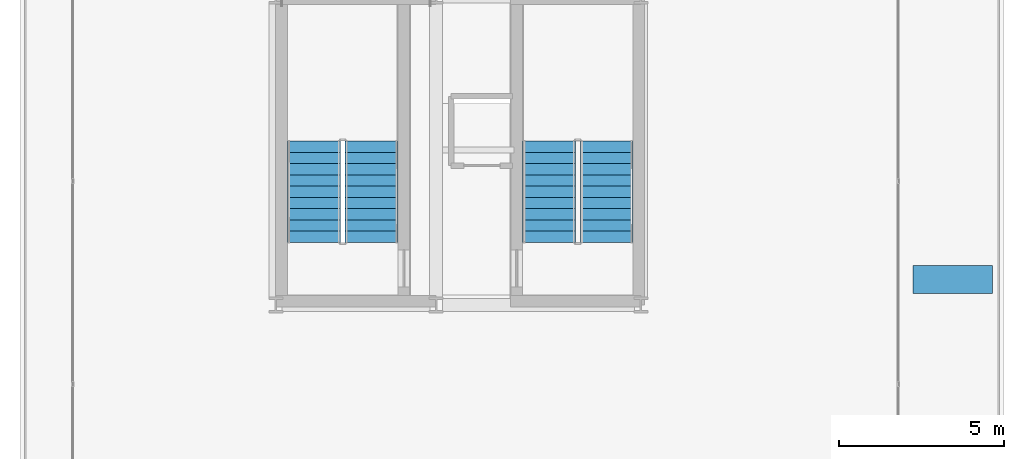
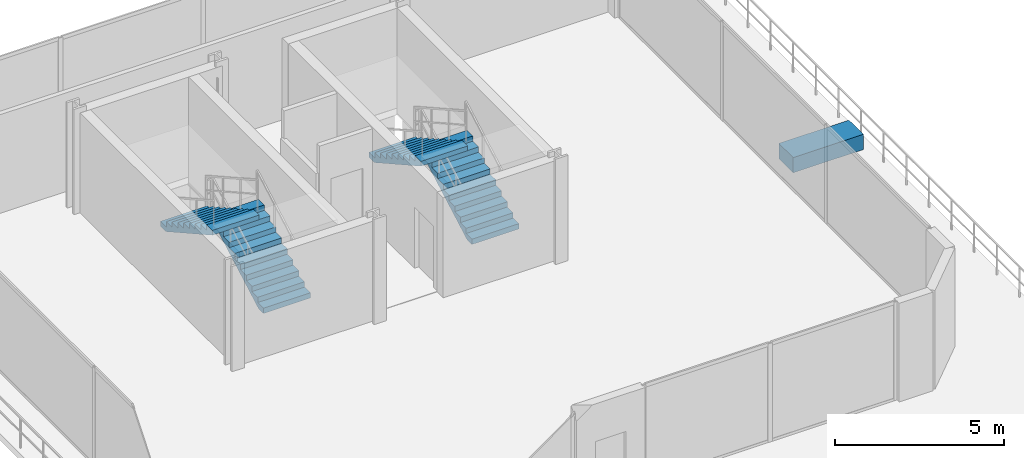
# One storey, part 14 of 16: 4 stair flights, 1 building element part, 2 elements without a shape of their own.
"""IFC4 building model written with IfcOpenShell, lengths in metres."""

from ifc_helpers import new_model, si_unit, direction, frame, origin, origin_2d, place, context, subcontext, project, spatial, polyline, rectangle, outline, extrude, material, layer, layer_set, type_object, element, aggregate, save


model = new_model("IFC4")

# Units and contexts
model_context = context("Model", 3, precision=1e-05, world=origin(), true_north=direction((0.0, 1.0)))
body_context = subcontext(model_context, "Body", "Model", "MODEL_VIEW")
ifc_project = project(units=[si_unit("LENGTHUNIT", "METRE"), si_unit("AREAUNIT", "SQUARE_METRE"), si_unit("VOLUMEUNIT", "CUBIC_METRE"), si_unit("PLANEANGLEUNIT", "RADIAN"), si_unit("MASSUNIT", "GRAM", prefix="KILO")], contexts=[model_context])

# Site, building, storey
site_placement = place(None, origin())
site = spatial("IfcSite", under=ifc_project, at=site_placement, CompositionType="ELEMENT")
building_placement = place(site_placement, origin())
building = spatial("IfcBuilding", under=site, at=building_placement, Name="Zuhayl Quay Hotel", CompositionType="ELEMENT")
storey_placement = place(building_placement, frame((0.0, 0.0, 308.64990234375)))
storey = spatial("IfcBuildingStorey", under=building, at=storey_placement, Name="Crown 4", CompositionType="ELEMENT", Elevation=308.64990234375)

# Stair, stair flights
ifc_material_1 = material(Name="Concrete C45/55", Category="concrete")
stair_type = type_object("IfcStairType", Name="ST_DOGLEG_PODIUM", PredefinedType="HALF_TURN_STAIR", material=ifc_material_1)
stair_1_placement = place(storey_placement, origin())
stair_1 = element("IfcStair", 1, at=stair_1_placement, inside=storey, type_object=stair_type, Name="Crown 4 Smokeproof Exit Stair ST5", PredefinedType="HALF_TURN_STAIR")
ifc_layer_1 = layer(ifc_material_1, 0.159912109375, Name="Concrete C45/55", Category="concrete")
ifc_layer_set_1 = layer_set([ifc_layer_1], Name="Concrete C45/55")
stair_flight_type = type_object("IfcStairFlightType", Name="SF_CONC_160", PredefinedType="STRAIGHT", material=ifc_layer_set_1)
stair_flight_1_placement = place(storey_placement, frame((-6.550048828125, 27.0, 0.0), z_axis=(0.0, 0.0, 1.0), x_axis=(0.0, 1.0, 0.0)))
stair_flight_1 = element("IfcStairFlight", 2, at=stair_flight_1_placement, type_object=stair_flight_type, Name="ST5 flight 1", NumberOfRisers=10, NumberOfTreads=9, PredefinedType="STRAIGHT", RiserHeight=0.19, TreadLength=0.34, context=body_context, shape_type="SweptSolid", body=[
    extrude(outline(polyline([(0.0, 0.0), (0.0, 0.18994140625), (0.340087890625, 0.18994140625), (0.340087890625, 0.3798828125), (0.679931640625, 0.3798828125), (0.679931640625, 0.570068359375), (1.02001953125, 0.570068359375), (1.02001953125, 0.760009765625), (1.360107421875, 0.760009765625), (1.360107421875, 0.949951171875), (1.699951171875, 0.949951171875), (1.699951171875, 1.139892578125), (2.0400390625, 1.139892578125), (2.0400390625, 1.330078125), (2.3798828125, 1.330078125), (2.3798828125, 1.52001953125), (2.719970703125, 1.52001953125), (2.719970703125, 1.7099609375), (3.06005859375, 1.7099609375), (3.06005859375, 1.89990234375), (3.06005859375, 1.538330078125), (0.307373046875, 0.0), (0.0, 0.0)])), frame((0.0, 0.800048828125, 0.0), z_axis=(0.0, -1.0, 0.0), x_axis=(1.0, 0.0, 0.0)), (0.0, 0.0, 1.0), 1.60009765625),
])
stair_flight_2_placement = place(storey_placement, frame((-8.300048828125, 30.06005859375, 1.900146484375), z_axis=(0.0, 0.0, 1.0), x_axis=(0.0, -1.0, 0.0)))
stair_flight_2 = element("IfcStairFlight", 3, at=stair_flight_2_placement, type_object=stair_flight_type, Name="ST5 flight 2", NumberOfRisers=10, NumberOfTreads=9, PredefinedType="STRAIGHT", RiserHeight=0.19, TreadLength=0.34, context=body_context, shape_type="SweptSolid", body=[
    extrude(outline(polyline([(0.0, 0.0), (0.0, 0.18994140625), (0.340087890625, 0.18994140625), (0.340087890625, 0.3798828125), (0.679931640625, 0.3798828125), (0.679931640625, 0.570068359375), (1.02001953125, 0.570068359375), (1.02001953125, 0.760009765625), (1.360107421875, 0.760009765625), (1.360107421875, 0.949951171875), (1.699951171875, 0.949951171875), (1.699951171875, 1.139892578125), (2.0400390625, 1.139892578125), (2.0400390625, 1.330078125), (2.3798828125, 1.330078125), (2.3798828125, 1.52001953125), (2.719970703125, 1.52001953125), (2.719970703125, 1.7099609375), (3.06005859375, 1.7099609375), (3.06005859375, 1.89990234375), (3.06005859375, 1.538330078125), (0.307373046875, 0.0), (0.0, 0.0)])), frame((0.0, 0.800048828125, 0.0), z_axis=(0.0, -1.0, 0.0), x_axis=(1.0, 0.0, 0.0)), (0.0, 0.0, 1.0), 1.60009765625),
])
aggregate(stair_1, [stair_flight_1, stair_flight_2])

stair_2_placement = place(storey_placement, origin())
stair_2 = element("IfcStair", 4, at=stair_2_placement, inside=storey, type_object=stair_type, Name="Crown 4 Smokeproof Exit Stair ST6", PredefinedType="HALF_TURN_STAIR")
stair_flight_3_placement = place(storey_placement, frame((0.570068359375, 27.0, 0.0), z_axis=(0.0, 0.0, 1.0), x_axis=(0.0, 1.0, 0.0)))
stair_flight_3 = element("IfcStairFlight", 5, at=stair_flight_3_placement, type_object=stair_flight_type, Name="ST6 flight 1", NumberOfRisers=10, NumberOfTreads=9, PredefinedType="STRAIGHT", RiserHeight=0.19, TreadLength=0.34, context=body_context, shape_type="SweptSolid", body=[
    extrude(outline(polyline([(0.0, 0.0), (0.0, 0.18994140625), (0.340087890625, 0.18994140625), (0.340087890625, 0.3798828125), (0.679931640625, 0.3798828125), (0.679931640625, 0.570068359375), (1.02001953125, 0.570068359375), (1.02001953125, 0.760009765625), (1.360107421875, 0.760009765625), (1.360107421875, 0.949951171875), (1.699951171875, 0.949951171875), (1.699951171875, 1.139892578125), (2.0400390625, 1.139892578125), (2.0400390625, 1.330078125), (2.3798828125, 1.330078125), (2.3798828125, 1.52001953125), (2.719970703125, 1.52001953125), (2.719970703125, 1.7099609375), (3.06005859375, 1.7099609375), (3.06005859375, 1.89990234375), (3.06005859375, 1.538330078125), (0.307373046875, 0.0), (0.0, 0.0)])), frame((0.0, 0.800048828125, 0.0), z_axis=(0.0, -1.0, 0.0), x_axis=(1.0, 0.0, 0.0)), (0.0, 0.0, 1.0), 1.60009765625),
])
stair_flight_4_placement = place(storey_placement, frame((-1.179931640625, 30.06005859375, 1.900146484375), z_axis=(0.0, 0.0, 1.0), x_axis=(0.0, -1.0, 0.0)))
stair_flight_4 = element("IfcStairFlight", 6, at=stair_flight_4_placement, type_object=stair_flight_type, Name="ST6 flight 2", NumberOfRisers=10, NumberOfTreads=9, PredefinedType="STRAIGHT", RiserHeight=0.19, TreadLength=0.34, context=body_context, shape_type="SweptSolid", body=[
    extrude(outline(polyline([(0.0, 0.0), (0.0, 0.18994140625), (0.340087890625, 0.18994140625), (0.340087890625, 0.3798828125), (0.679931640625, 0.3798828125), (0.679931640625, 0.570068359375), (1.02001953125, 0.570068359375), (1.02001953125, 0.760009765625), (1.360107421875, 0.760009765625), (1.360107421875, 0.949951171875), (1.699951171875, 0.949951171875), (1.699951171875, 1.139892578125), (2.0400390625, 1.139892578125), (2.0400390625, 1.330078125), (2.3798828125, 1.330078125), (2.3798828125, 1.52001953125), (2.719970703125, 1.52001953125), (2.719970703125, 1.7099609375), (3.06005859375, 1.7099609375), (3.06005859375, 1.89990234375), (3.06005859375, 1.538330078125), (0.307373046875, 0.0), (0.0, 0.0)])), frame((0.0, 0.800048828125, 0.0), z_axis=(0.0, -1.0, 0.0), x_axis=(1.0, 0.0, 0.0)), (0.0, 0.0, 1.0), 1.60009765625),
])
aggregate(stair_2, [stair_flight_3, stair_flight_4])

# Building element part
ifc_material_2 = material(Name="Precast concrete C45/55", Category="concrete")
ifc_layer_2 = layer(ifc_material_2, 0.550048828125, Name="Precast concrete C45/55", Category="concrete")
ifc_layer_set_2 = layer_set([ifc_layer_2], Name="Precast concrete C45/55")
building_element_part_type = type_object("IfcBuildingElementPartType", Name="PT_PLANTER_KERB", PredefinedType="PRECASTPANEL", material=ifc_layer_set_2)
building_element_part_placement = place(storey_placement, frame((11.044921875, 25.875, 0.0), z_axis=(0.0, 0.0, 1.0), x_axis=(1.0, 0.0, 0.0)))
element("IfcBuildingElementPart", 7, at=building_element_part_placement, inside=storey, type_object=building_element_part_type, Name="Crown 4 Stepped Crown Planter Box", PredefinedType="PRECASTPANEL", context=body_context, shape_type="SweptSolid", body=[
    extrude(rectangle(XDim=2.39990234375, YDim=0.85009765625, at=origin_2d()), origin(), (0.0, 0.0, 1.0), 0.550048828125),
])

save(model, "model.ifc")
